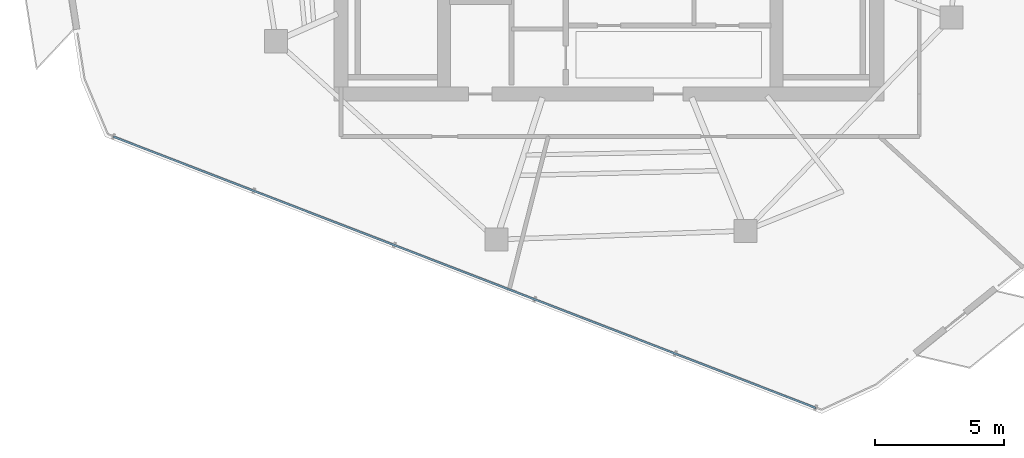
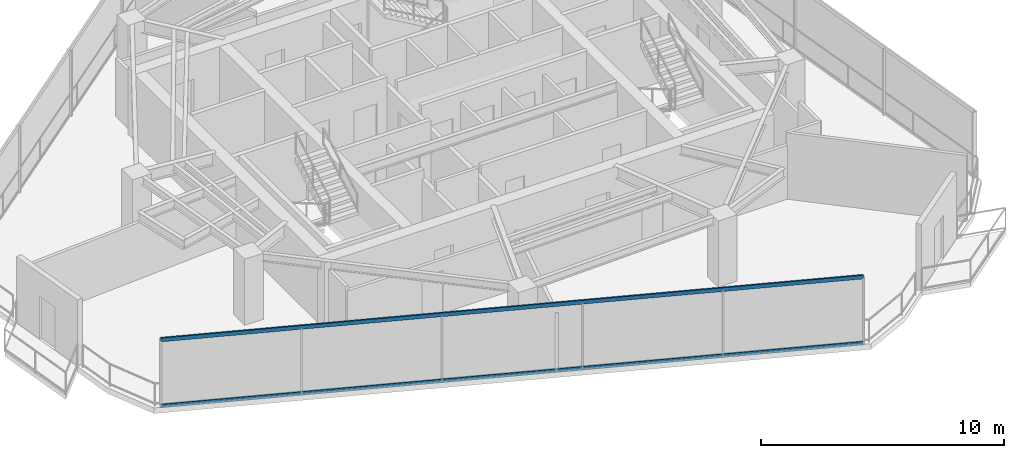
# One storey, part 3 of 19: 2 members, 1 element without a shape of its own.
"""IFC4 building model written with IfcOpenShell, lengths in metres."""

import ifcopenshell
import ifcopenshell.guid

model = None  # the IFC model being written
_history = None  # IfcOwnerHistory: only IFC2X3 demands one
_inside = {}  # id of a spatial element -> (the spatial element, [elements in it])
_under = {}  # id of a project, library or spatial element -> (it, [spatial elements below it])
_declared = {}  # id of a project -> (the project, [libraries it declares])
_typed = {}  # id of a type object -> (the type object, [elements of that type])
_made_of = {}  # id of a material, layer set ... -> (it, [elements and type objects made of it])


def new_model(schema):
    """Start an empty IFC model of exactly this schema.

    Asked for "IFC4X3", IfcOpenShell would pick the latest addendum, in which some entities
    have other attributes; the version numbers below select the first issue.
    IFC2X3 requires an IfcOwnerHistory on every rooted entity: one is made here for all.
    """
    global model, _history
    if schema == "IFC4X3":
        model = ifcopenshell.file(schema_version=(4, 3, 0, 0))
    else:
        model = ifcopenshell.file(schema=schema)
    _inside.clear()
    _under.clear()
    _declared.clear()
    _typed.clear()
    _made_of.clear()
    _history = None
    if model.schema == "IFC2X3":
        org = make("IfcOrganization", Name="unknown")
        user = make(
            "IfcPersonAndOrganization",
            ThePerson=make("IfcPerson", FamilyName="unknown"),
            TheOrganization=org,
        )
        app = make(
            "IfcApplication",
            ApplicationDeveloper=org,
            Version="unknown",
            ApplicationFullName="unknown",
            ApplicationIdentifier="unknown",
        )
        _history = make(
            "IfcOwnerHistory",
            OwningUser=user,
            OwningApplication=app,
            ChangeAction="ADDED",
            CreationDate=0,
        )
    return model


def make(cls, **values):
    """One entity of the class cls with the attributes given. An attribute that is None is left unset."""
    return model.create_entity(
        cls, **{name: value for name, value in values.items() if value is not None}
    )


def rooted(cls, **values):
    """An entity with a GlobalId (a new one), such as an element, a storey or a relation."""
    return make(cls, GlobalId=ifcopenshell.guid.new(), OwnerHistory=_history, **values)


def si_unit(unit_type, name, prefix=None):
    """IfcSIUnit, for example si_unit("LENGTHUNIT", "METRE", prefix="MILLI")."""
    return make("IfcSIUnit", UnitType=unit_type, Prefix=prefix, Name=name)


def assignment(units):
    """IfcUnitAssignment: the units of a project."""
    return None if units is None else make("IfcUnitAssignment", Units=units)


def point(xyz):
    """IfcCartesianPoint."""
    return None if xyz is None else make("IfcCartesianPoint", Coordinates=xyz)


def direction(xyz):
    """IfcDirection."""
    return None if xyz is None else make("IfcDirection", DirectionRatios=xyz)


def frame(location, z_axis=None, x_axis=None):
    """IfcAxis2Placement3D, a coordinate frame: its origin and axes. An axis left out is left unset."""
    return make(
        "IfcAxis2Placement3D",
        Location=point(location),
        Axis=direction(z_axis),
        RefDirection=direction(x_axis),
    )


def frame_2d(location, x_axis=None):
    """IfcAxis2Placement2D, a coordinate frame in the plane: its origin and x axis."""
    return make(
        "IfcAxis2Placement2D", Location=point(location), RefDirection=direction(x_axis)
    )


def origin():
    """The frame at (0, 0, 0) with its axes left unset."""
    return frame((0.0, 0.0, 0.0))


def origin_2d():
    """The frame at (0, 0) in the plane with its x axis left unset."""
    return frame_2d((0.0, 0.0))


def place(relative_to, where):
    """IfcLocalPlacement: puts the frame where relative to a parent placement (None: the world)."""
    return make(
        "IfcLocalPlacement", PlacementRelTo=relative_to, RelativePlacement=where
    )


def context(
    kind, dimensions, precision=None, world=None, true_north=None, identifier=None
):
    """IfcGeometricRepresentationContext, for example the 3D "Model" context."""
    return make(
        "IfcGeometricRepresentationContext",
        ContextIdentifier=identifier,
        ContextType=kind,
        CoordinateSpaceDimension=dimensions,
        Precision=precision,
        WorldCoordinateSystem=world,
        TrueNorth=true_north,
    )


def subcontext(parent, identifier, kind, view, scale=None):
    """IfcGeometricRepresentationSubContext, for example "Body" below "Model"."""
    return make(
        "IfcGeometricRepresentationSubContext",
        ContextIdentifier=identifier,
        ContextType=kind,
        ParentContext=parent,
        TargetScale=scale,
        TargetView=view,
    )


def project(units=None, contexts=None):
    """IfcProject with its units and contexts."""
    return rooted(
        "IfcProject",
        Name="project",
        RepresentationContexts=contexts,
        UnitsInContext=assignment(units),
    )


def spatial(cls, under=None, at=None, **own):
    """A site, building, storey or space (cls), placed at a placement, below another one or the project."""
    s = rooted(cls, ObjectPlacement=at, **own)
    if under is not None:
        _under.setdefault(under.id(), (under, []))[1].append(s)
    return s


def profile(cls, at=None, kind="AREA", **sizes):
    """A parametric profile (cls). Its sizes go by their IFC names, for example OverallWidth=200.0."""
    return make(cls, ProfileType=kind, Position=at, **sizes)


def hollow_rectangle(**sizes):
    """IfcRectangleHollowProfileDef."""
    return profile("IfcRectangleHollowProfileDef", **sizes)


def extrude(swept, where, along, depth):
    """IfcExtrudedAreaSolid: the profile swept, set in the frame where, extruded along a direction by depth."""
    return make(
        "IfcExtrudedAreaSolid",
        SweptArea=swept,
        Position=where,
        ExtrudedDirection=direction(along),
        Depth=depth,
    )


def shape(context_of_items, identifier, shape_type, items):
    """IfcShapeRepresentation: the items that make up one representation, for example the "Body"."""
    return make(
        "IfcShapeRepresentation",
        ContextOfItems=context_of_items,
        RepresentationIdentifier=identifier,
        RepresentationType=shape_type,
        Items=items,
    )


def material(Name=None, Category=None):
    """IfcMaterial."""
    return make("IfcMaterial", Name=Name, Category=Category)


def layer(
    of_material, thickness, ventilated=None, Name=None, Category=None, Priority=None
):
    """IfcMaterialLayer: one layer of a wall or slab, of a material (None: an air gap)."""
    return make(
        "IfcMaterialLayer",
        Material=of_material,
        LayerThickness=thickness,
        IsVentilated=ventilated,
        Name=Name,
        Category=Category,
        Priority=Priority,
    )


def layer_set(layers, Name=None):
    """IfcMaterialLayerSet."""
    return make("IfcMaterialLayerSet", MaterialLayers=layers, LayerSetName=Name)


def material_profile(
    of_material, cross_section, Name=None, Category=None, Priority=None
):
    """IfcMaterialProfile: a cross section and its material."""
    return make(
        "IfcMaterialProfile",
        Name=Name,
        Material=of_material,
        Profile=cross_section,
        Priority=Priority,
        Category=Category,
    )


def profile_set(profiles, Name=None, composite=None):
    """IfcMaterialProfileSet."""
    return make(
        "IfcMaterialProfileSet",
        Name=Name,
        MaterialProfiles=profiles,
        CompositeProfile=composite,
    )


def made_of(thing, what):
    """Note that an element or type object is made of a material, layer set ...; save() writes the relation."""
    if what is not None:
        _made_of.setdefault(what.id(), (what, []))[1].append(thing)
    return thing


def type_object(cls, material=None, **own):
    """A type object (cls), such as IfcWallType, which elements share."""
    return made_of(rooted(cls, **own), material)


def element(
    cls,
    number,
    at=None,
    inside=None,
    cuts=None,
    type_object=None,
    material=None,
    context=None,
    identifier="Body",
    shape_type=None,
    held_by="IfcProductDefinitionShape",
    body=None,
    shapes=None,
    **own,
):
    """One element of the class cls, such as IfcWall. Its Tag is "e" and its number.

    at: its placement. inside: the storey or other place that contains it. cuts: it is an
    opening in that element (IfcRelVoidsElement). A single representation is given by context,
    identifier, shape_type and body (its items); several are given by shapes. held_by: the class
    of the entity that holds the representations. save() writes the other relations.
    """
    e = rooted(cls, Tag="e%d" % number, ObjectPlacement=at, **own)
    if body is not None:
        shapes = [shape(context, identifier, shape_type, body)]
    if shapes is not None:
        e.Representation = make(held_by, Representations=shapes)
    if inside is not None:
        _inside.setdefault(inside.id(), (inside, []))[1].append(e)
    if cuts is not None:
        rooted(
            "IfcRelVoidsElement", RelatingBuildingElement=cuts, RelatedOpeningElement=e
        )
    if type_object is not None:
        _typed.setdefault(type_object.id(), (type_object, []))[1].append(e)
    return made_of(e, material)


def aggregate(whole, parts):
    """IfcRelAggregates: a whole, such as a stair, and the parts it consists of."""
    return rooted("IfcRelAggregates", RelatingObject=whole, RelatedObjects=parts)


def save(model, path):
    """Write the relations noted so far, then the file.

    IfcRelAggregates (storeys below a building ...), IfcRelContainedInSpatialStructure (elements
    in a storey), IfcRelDefinesByType, IfcRelAssociatesMaterial and IfcRelDeclares: one each for
    every whole, place, type object, material and project.
    """
    for whole, parts in _under.values():
        aggregate(whole, parts)
    for where, things in _inside.values():
        rooted(
            "IfcRelContainedInSpatialStructure",
            RelatedElements=things,
            RelatingStructure=where,
        )
    for kind, things in _typed.values():
        rooted("IfcRelDefinesByType", RelatedObjects=things, RelatingType=kind)
    for what, things in _made_of.values():
        rooted("IfcRelAssociatesMaterial", RelatedObjects=things, RelatingMaterial=what)
    for by, libraries in _declared.values():
        rooted("IfcRelDeclares", RelatingContext=by, RelatedDefinitions=libraries)
    model.write(path)


model = new_model("IFC4")

# Units and contexts
model_context = context("Model", 3, precision=1e-05, world=origin(), true_north=direction((0.0, 1.0)))
body_context = subcontext(model_context, "Body", "Model", "MODEL_VIEW")
ifc_project = project(units=[si_unit("LENGTHUNIT", "METRE"), si_unit("AREAUNIT", "SQUARE_METRE"), si_unit("VOLUMEUNIT", "CUBIC_METRE"), si_unit("PLANEANGLEUNIT", "RADIAN"), si_unit("MASSUNIT", "GRAM", prefix="KILO")], contexts=[model_context])

# Site, building, storey
site_placement = place(None, origin())
site = spatial("IfcSite", under=ifc_project, at=site_placement, CompositionType="ELEMENT")
building_placement = place(site_placement, origin())
building = spatial("IfcBuilding", under=site, at=building_placement, Name="Qarnah Convention Tower", CompositionType="ELEMENT")
storey_placement = place(building_placement, frame((0.0, 0.0, 213.0)))
storey = spatial("IfcBuildingStorey", under=building, at=storey_placement, Name="L57", CompositionType="ELEMENT", Elevation=213.0)

# Curtain wall, members
ifc_material_1 = material(Name="Tempered Low-E dark glass", Category="glass")
ifc_layer = layer(ifc_material_1, 0.174072265625)
ifc_layer_set = layer_set([ifc_layer], Name="Tempered Low-E dark glass")
curtain_wall_type = type_object("IfcCurtainWallType", Name="CWS-04", PredefinedType="NOTDEFINED", material=ifc_layer_set)
curtain_wall_placement = place(storey_placement, origin())
curtain_wall = element("IfcCurtainWall", 1, at=curtain_wall_placement, inside=storey, type_object=curtain_wall_type, Name="L57 unitised curtain wall CW-L57-F1", PredefinedType="NOTDEFINED")
ifc_material_2 = material(Name="Black anodised aluminium", Category="aluminium")
ifc_material_profile = material_profile(ifc_material_2, hollow_rectangle(XDim=0.074951171875, YDim=0.18994140625, WallThickness=0.0048828125, at=origin_2d()), Name="TRN-75X190")
ifc_profile_set = profile_set([ifc_material_profile], Name="Black anodised aluminium")
member_type = type_object("IfcMemberType", Name="TRN-T4", PredefinedType="USERDEFINED", material=ifc_profile_set)
member_1_placement = place(storey_placement, frame((45.22509765625, 6.404052734375, 0.0), z_axis=(-0.932821743739, 0.360338166737, 0.0), x_axis=(-0.360338166737, -0.932821743739, 0.0)))
member_1 = element("IfcMember", 2, at=member_1_placement, type_object=member_type, Name="CW-L57-F1 transom 1", ObjectType="TRANSOM", PredefinedType="USERDEFINED", context=body_context, shape_type="SweptSolid", body=[
    extrude(hollow_rectangle(XDim=0.074951171875, YDim=0.18994140625, WallThickness=0.0048828125, at=origin_2d()), origin(), (0.0, 0.0, 1.0), 29.230712890625),
])
member_2_placement = place(storey_placement, frame((45.22509765625, 6.404052734375, 3.320068359375), z_axis=(-0.932821743739, 0.360338166737, 0.0), x_axis=(-0.360338166737, -0.932821743739, 0.0)))
member_2 = element("IfcMember", 3, at=member_2_placement, type_object=member_type, Name="CW-L57-F1 transom 2", ObjectType="TRANSOM", PredefinedType="USERDEFINED", context=body_context, shape_type="SweptSolid", body=[
    extrude(hollow_rectangle(XDim=0.074951171875, YDim=0.18994140625, WallThickness=0.0048828125, at=origin_2d()), origin(), (0.0, 0.0, 1.0), 29.230712890625),
])
aggregate(curtain_wall, [member_1, member_2])

save(model, "model.ifc")
